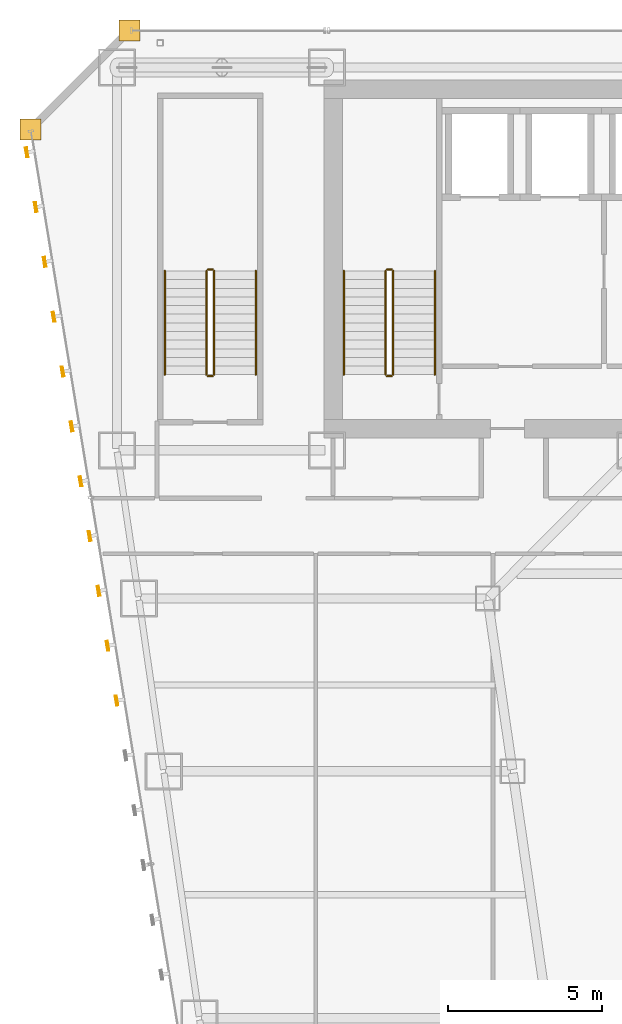
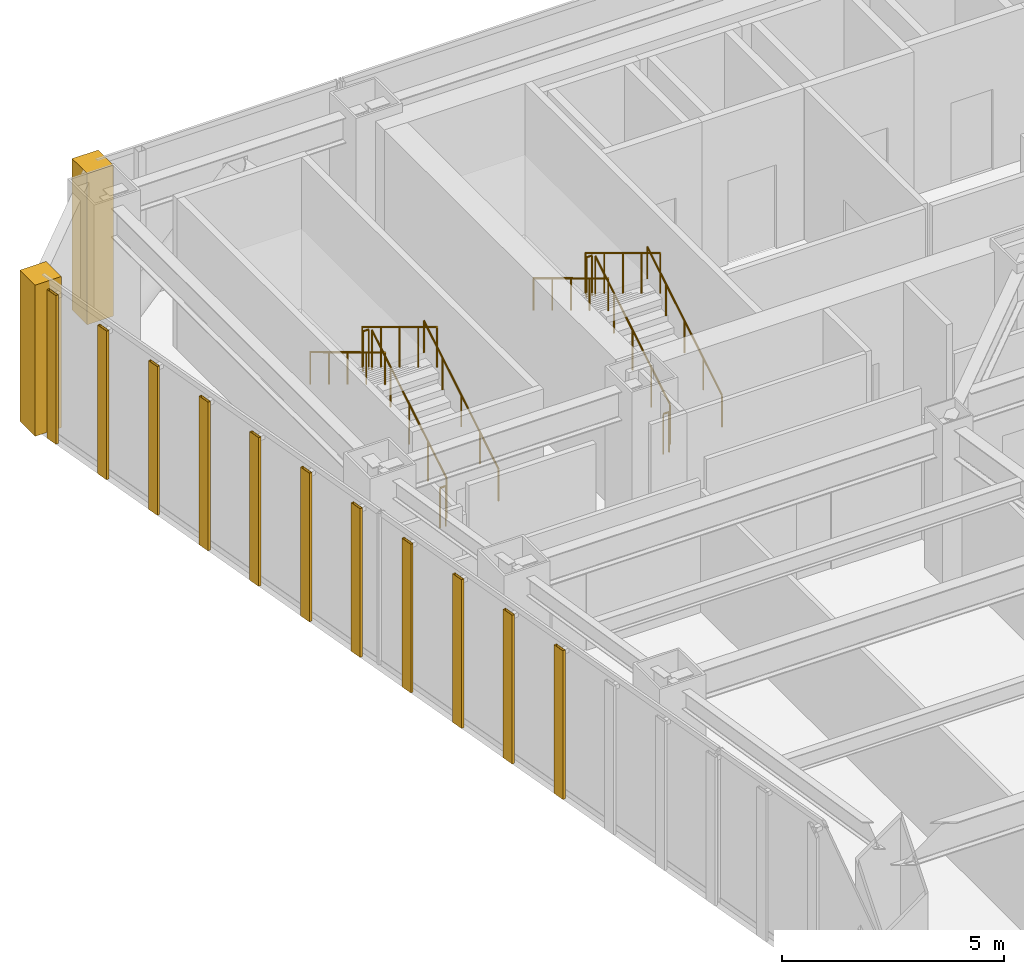
# One storey, part 46 of 47: 12 railings, 11 shading devices, 2 coverings.
"""IFC4 building model written with IfcOpenShell, lengths in metres."""

from ifc_helpers import new_model, si_unit, direction, frame, origin, origin_2d, place, context, subcontext, project, spatial, polyline, hollow_rectangle, circle, outline, extrude, material, layer, layer_set, material_profile, profile_set, type_object, element, save


model = new_model("IFC4")

# Units and contexts
model_context = context("Model", 3, precision=1e-05, world=origin(), true_north=direction((0.0, 1.0)))
body_context = subcontext(model_context, "Body", "Model", "MODEL_VIEW")
ifc_project = project(units=[si_unit("LENGTHUNIT", "METRE"), si_unit("AREAUNIT", "SQUARE_METRE"), si_unit("VOLUMEUNIT", "CUBIC_METRE"), si_unit("PLANEANGLEUNIT", "RADIAN"), si_unit("MASSUNIT", "GRAM", prefix="KILO")], contexts=[model_context])

# Site, building, storey
site_placement = place(None, origin())
site = spatial("IfcSite", under=ifc_project, at=site_placement, CompositionType="ELEMENT")
building_placement = place(site_placement, origin())
building = spatial("IfcBuilding", under=site, at=building_placement, Name="Saevonmaru Cultural Tower", CompositionType="ELEMENT")
storey_placement = place(building_placement, frame((0.0, 0.0, 69.199951171875)))
storey = spatial("IfcBuildingStorey", under=building, at=storey_placement, Name="L14", CompositionType="ELEMENT", Elevation=69.199951171875)

# Coverings
ifc_material_1 = material(Name="Satin Bronze Anodised Aluminium", Category="aluminium")
ifc_layer = layer(ifc_material_1, 0.679931640625, Name="Satin Bronze Anodised Aluminium")
ifc_layer_set = layer_set([ifc_layer], Name="Satin Bronze Anodised Aluminium")
covering_type = type_object("IfcCoveringType", Name="CV-CORNER-CLAD", PredefinedType="CLADDING", material=ifc_layer_set)
covering_1_placement = place(storey_placement, origin())
element("IfcCovering", 1, at=covering_1_placement, inside=storey, type_object=covering_type, Name="L14 Tower Bronze Corner Cladding Pier 11", PredefinedType="CLADDING", context=body_context, shape_type="SweptSolid", body=[
    extrude(outline(polyline([(6.860107421875, 55.659912109375), (7.5400390625, 55.659912109375), (7.5400390625, 56.340087890625), (6.860107421875, 56.340087890625), (6.860107421875, 55.659912109375)])), origin(), (0.0, 0.0, 1.0), 4.150146484375),
])
covering_2_placement = place(storey_placement, origin())
element("IfcCovering", 2, at=covering_2_placement, inside=storey, type_object=covering_type, Name="L14 Tower Bronze Corner Cladding Pier 12", PredefinedType="CLADDING", context=body_context, shape_type="SweptSolid", body=[
    extrude(outline(polyline([(3.659912109375, 52.4599609375), (4.340087890625, 52.4599609375), (4.340087890625, 53.139892578125), (3.659912109375, 53.139892578125), (3.659912109375, 52.4599609375)])), origin(), (0.0, 0.0, 1.0), 4.150146484375),
])

# Railings
ifc_material_2 = material(Name="Architectural Painted Steel", Category="steel")
railing_type_1 = type_object("IfcRailingType", Name="RL-STAIR-GUARD", PredefinedType="GUARDRAIL", material=ifc_material_2)
railing_1_placement = place(storey_placement, frame((15.75, 44.85009765625, 0.169189453125)))
element("IfcRailing", 3, at=railing_1_placement, inside=storey, type_object=railing_type_1, Name="L14 ST-1 stair guard 1", PredefinedType="GUARDRAIL", context=body_context, shape_type="SweptSolid", body=[
    extrude(circle(Radius=0.02392578125, at=origin_2d()), frame((0.0, 0.0, 1.09619140625), z_axis=(0.0, 0.855820338506, 0.51727318527), x_axis=(-1.0, 0.0, 0.0)), (0.0, 0.0, 1.0), 3.92578125),
    extrude(circle(Radius=0.02099609375, at=origin_2d()), origin(), (0.0, 0.0, 1.0), 1.072021484375),
    extrude(circle(Radius=0.02099609375, at=origin_2d()), frame((0.0, 0.83984375, 0.5078125)), (0.0, 0.0, 1.0), 1.072021484375),
    extrude(circle(Radius=0.02099609375, at=origin_2d()), frame((0.0, 1.679931640625, 1.015380859375)), (0.0, 0.0, 1.0), 1.072021484375),
    extrude(circle(Radius=0.02099609375, at=origin_2d()), frame((0.0, 2.52001953125, 1.52294921875)), (0.0, 0.0, 1.0), 1.072021484375),
    extrude(circle(Radius=0.02099609375, at=origin_2d()), frame((0.0, 3.35986328125, 2.03076171875)), (0.0, 0.0, 1.0), 1.072021484375),
])
railing_2_placement = place(storey_placement, frame((15.699951171875, 48.260009765625, 2.199951171875)))
element("IfcRailing", 4, at=railing_2_placement, inside=storey, type_object=railing_type_1, Name="L14 ST-1 stair guard 2", PredefinedType="GUARDRAIL", context=body_context, shape_type="SweptSolid", body=[
    extrude(circle(Radius=0.02392578125, at=origin_2d()), frame((0.0, 0.0, 1.09619140625), z_axis=(-1.0, 0.0, 0.0), x_axis=(0.0, -1.0, 0.0)), (0.0, 0.0, 1.0), 0.14990234375),
    extrude(circle(Radius=0.02099609375, at=origin_2d()), origin(), (0.0, 0.0, 1.0), 1.072021484375),
    extrude(circle(Radius=0.02099609375, at=origin_2d()), frame((-0.14990234375, 0.0, 0.0)), (0.0, 0.0, 1.0), 1.072021484375),
])
railing_3_placement = place(storey_placement, frame((15.5, 48.2099609375, 2.369384765625)))
element("IfcRailing", 5, at=railing_3_placement, inside=storey, type_object=railing_type_1, Name="L14 ST-1 stair guard 3", PredefinedType="GUARDRAIL", context=body_context, shape_type="SweptSolid", body=[
    extrude(circle(Radius=0.02392578125, at=origin_2d()), frame((0.0, 0.0, 1.09619140625), z_axis=(0.0, -0.855820338506, 0.51727318527), x_axis=(1.0, 0.0, 0.0)), (0.0, 0.0, 1.0), 3.92578125),
    extrude(circle(Radius=0.02099609375, at=origin_2d()), origin(), (0.0, 0.0, 1.0), 1.072021484375),
    extrude(circle(Radius=0.02099609375, at=origin_2d()), frame((0.0, -0.83984375, 0.5078125)), (0.0, 0.0, 1.0), 1.072021484375),
    extrude(circle(Radius=0.02099609375, at=origin_2d()), frame((0.0, -1.679931640625, 1.015380859375)), (0.0, 0.0, 1.0), 1.072021484375),
    extrude(circle(Radius=0.02099609375, at=origin_2d()), frame((0.0, -2.52001953125, 1.52294921875)), (0.0, 0.0, 1.0), 1.072021484375),
    extrude(circle(Radius=0.02099609375, at=origin_2d()), frame((0.0, -3.35986328125, 2.03076171875)), (0.0, 0.0, 1.0), 1.072021484375),
])
railing_4_placement = place(storey_placement, frame((15.699951171875, 44.800048828125, 0.0)))
element("IfcRailing", 6, at=railing_4_placement, inside=storey, type_object=railing_type_1, Name="L14 ST-1 stair guard 4", PredefinedType="GUARDRAIL", context=body_context, shape_type="SweptSolid", body=[
    extrude(circle(Radius=0.02392578125, at=origin_2d()), frame((0.0, 0.0, 1.09619140625), z_axis=(-1.0, 0.0, 0.0), x_axis=(0.0, -1.0, 0.0)), (0.0, 0.0, 1.0), 0.14990234375),
    extrude(circle(Radius=0.02099609375, at=origin_2d()), origin(), (0.0, 0.0, 1.0), 1.072021484375),
    extrude(circle(Radius=0.02099609375, at=origin_2d()), frame((-0.14990234375, 0.0, 0.0)), (0.0, 0.0, 1.0), 1.072021484375),
])
railing_5_placement = place(storey_placement, frame((9.949951171875, 44.85009765625, 0.169189453125)))
element("IfcRailing", 7, at=railing_5_placement, inside=storey, type_object=railing_type_1, Name="L14 ST-3 stair guard 1", PredefinedType="GUARDRAIL", context=body_context, shape_type="SweptSolid", body=[
    extrude(circle(Radius=0.02392578125, at=origin_2d()), frame((0.0, 0.0, 1.09619140625), z_axis=(0.0, 0.855820338506, 0.51727318527), x_axis=(-1.0, 0.0, 0.0)), (0.0, 0.0, 1.0), 3.92578125),
    extrude(circle(Radius=0.02099609375, at=origin_2d()), origin(), (0.0, 0.0, 1.0), 1.072021484375),
    extrude(circle(Radius=0.02099609375, at=origin_2d()), frame((0.0, 0.83984375, 0.5078125)), (0.0, 0.0, 1.0), 1.072021484375),
    extrude(circle(Radius=0.02099609375, at=origin_2d()), frame((0.0, 1.679931640625, 1.015380859375)), (0.0, 0.0, 1.0), 1.072021484375),
    extrude(circle(Radius=0.02099609375, at=origin_2d()), frame((0.0, 2.52001953125, 1.52294921875)), (0.0, 0.0, 1.0), 1.072021484375),
    extrude(circle(Radius=0.02099609375, at=origin_2d()), frame((0.0, 3.35986328125, 2.03076171875)), (0.0, 0.0, 1.0), 1.072021484375),
])
railing_6_placement = place(storey_placement, frame((9.89990234375, 48.260009765625, 2.199951171875)))
element("IfcRailing", 8, at=railing_6_placement, inside=storey, type_object=railing_type_1, Name="L14 ST-3 stair guard 2", PredefinedType="GUARDRAIL", context=body_context, shape_type="SweptSolid", body=[
    extrude(circle(Radius=0.02392578125, at=origin_2d()), frame((0.0, 0.0, 1.09619140625), z_axis=(-1.0, 0.0, 0.0), x_axis=(0.0, -1.0, 0.0)), (0.0, 0.0, 1.0), 0.14990234375),
    extrude(circle(Radius=0.02099609375, at=origin_2d()), origin(), (0.0, 0.0, 1.0), 1.072021484375),
    extrude(circle(Radius=0.02099609375, at=origin_2d()), frame((-0.14990234375, 0.0, 0.0)), (0.0, 0.0, 1.0), 1.072021484375),
])
railing_7_placement = place(storey_placement, frame((9.699951171875, 48.2099609375, 2.369384765625)))
element("IfcRailing", 9, at=railing_7_placement, inside=storey, type_object=railing_type_1, Name="L14 ST-3 stair guard 3", PredefinedType="GUARDRAIL", context=body_context, shape_type="SweptSolid", body=[
    extrude(circle(Radius=0.02392578125, at=origin_2d()), frame((0.0, 0.0, 1.09619140625), z_axis=(0.0, -0.855820338506, 0.51727318527), x_axis=(1.0, 0.0, 0.0)), (0.0, 0.0, 1.0), 3.92578125),
    extrude(circle(Radius=0.02099609375, at=origin_2d()), origin(), (0.0, 0.0, 1.0), 1.072021484375),
    extrude(circle(Radius=0.02099609375, at=origin_2d()), frame((0.0, -0.83984375, 0.5078125)), (0.0, 0.0, 1.0), 1.072021484375),
    extrude(circle(Radius=0.02099609375, at=origin_2d()), frame((0.0, -1.679931640625, 1.015380859375)), (0.0, 0.0, 1.0), 1.072021484375),
    extrude(circle(Radius=0.02099609375, at=origin_2d()), frame((0.0, -2.52001953125, 1.52294921875)), (0.0, 0.0, 1.0), 1.072021484375),
    extrude(circle(Radius=0.02099609375, at=origin_2d()), frame((0.0, -3.35986328125, 2.03076171875)), (0.0, 0.0, 1.0), 1.072021484375),
])
railing_8_placement = place(storey_placement, frame((9.89990234375, 44.800048828125, 0.0)))
element("IfcRailing", 10, at=railing_8_placement, inside=storey, type_object=railing_type_1, Name="L14 ST-3 stair guard 4", PredefinedType="GUARDRAIL", context=body_context, shape_type="SweptSolid", body=[
    extrude(circle(Radius=0.02392578125, at=origin_2d()), frame((0.0, 0.0, 1.09619140625), z_axis=(-1.0, 0.0, 0.0), x_axis=(0.0, -1.0, 0.0)), (0.0, 0.0, 1.0), 0.14990234375),
    extrude(circle(Radius=0.02099609375, at=origin_2d()), origin(), (0.0, 0.0, 1.0), 1.072021484375),
    extrude(circle(Radius=0.02099609375, at=origin_2d()), frame((-0.14990234375, 0.0, 0.0)), (0.0, 0.0, 1.0), 1.072021484375),
])
railing_type_2 = type_object("IfcRailingType", Name="RL-STAIR-HANDRAIL", PredefinedType="HANDRAIL", material=ifc_material_1)
railing_9_placement = place(storey_placement, frame((17.10009765625, 44.85009765625, 0.169189453125)))
element("IfcRailing", 11, at=railing_9_placement, inside=storey, type_object=railing_type_2, Name="L14 ST-1 stair handrail 1", PredefinedType="HANDRAIL", context=body_context, shape_type="SweptSolid", body=[
    extrude(circle(Radius=0.02392578125, at=origin_2d()), frame((0.0, 0.0, 0.8759765625), z_axis=(0.0, 0.855820338506, 0.51727318527), x_axis=(-1.0, 0.0, 0.0)), (0.0, 0.0, 1.0), 3.92578125),
    extrude(circle(Radius=0.02099609375, at=origin_2d()), origin(), (0.0, 0.0, 1.0), 0.851806640625),
    extrude(circle(Radius=0.02099609375, at=origin_2d()), frame((0.0, 0.83984375, 0.5078125)), (0.0, 0.0, 1.0), 0.851806640625),
    extrude(circle(Radius=0.02099609375, at=origin_2d()), frame((0.0, 1.679931640625, 1.015380859375)), (0.0, 0.0, 1.0), 0.851806640625),
    extrude(circle(Radius=0.02099609375, at=origin_2d()), frame((0.0, 2.52001953125, 1.52294921875)), (0.0, 0.0, 1.0), 0.851806640625),
    extrude(circle(Radius=0.02099609375, at=origin_2d()), frame((0.0, 3.35986328125, 2.03076171875)), (0.0, 0.0, 1.0), 0.851806640625),
])
railing_10_placement = place(storey_placement, frame((14.14990234375, 48.2099609375, 2.369384765625)))
element("IfcRailing", 12, at=railing_10_placement, inside=storey, type_object=railing_type_2, Name="L14 ST-1 stair handrail 2", PredefinedType="HANDRAIL", context=body_context, shape_type="SweptSolid", body=[
    extrude(circle(Radius=0.02392578125, at=origin_2d()), frame((0.0, 0.0, 0.8759765625), z_axis=(0.0, -0.855820338506, 0.51727318527), x_axis=(1.0, 0.0, 0.0)), (0.0, 0.0, 1.0), 3.92578125),
    extrude(circle(Radius=0.02099609375, at=origin_2d()), origin(), (0.0, 0.0, 1.0), 0.851806640625),
    extrude(circle(Radius=0.02099609375, at=origin_2d()), frame((0.0, -0.83984375, 0.5078125)), (0.0, 0.0, 1.0), 0.851806640625),
    extrude(circle(Radius=0.02099609375, at=origin_2d()), frame((0.0, -1.679931640625, 1.015380859375)), (0.0, 0.0, 1.0), 0.851806640625),
    extrude(circle(Radius=0.02099609375, at=origin_2d()), frame((0.0, -2.52001953125, 1.52294921875)), (0.0, 0.0, 1.0), 0.851806640625),
    extrude(circle(Radius=0.02099609375, at=origin_2d()), frame((0.0, -3.35986328125, 2.03076171875)), (0.0, 0.0, 1.0), 0.851806640625),
])
railing_11_placement = place(storey_placement, frame((11.300048828125, 44.85009765625, 0.169189453125)))
element("IfcRailing", 13, at=railing_11_placement, inside=storey, type_object=railing_type_2, Name="L14 ST-3 stair handrail 1", PredefinedType="HANDRAIL", context=body_context, shape_type="SweptSolid", body=[
    extrude(circle(Radius=0.02392578125, at=origin_2d()), frame((0.0, 0.0, 0.8759765625), z_axis=(0.0, 0.855820338506, 0.51727318527), x_axis=(-1.0, 0.0, 0.0)), (0.0, 0.0, 1.0), 3.92578125),
    extrude(circle(Radius=0.02099609375, at=origin_2d()), origin(), (0.0, 0.0, 1.0), 0.851806640625),
    extrude(circle(Radius=0.02099609375, at=origin_2d()), frame((0.0, 0.83984375, 0.5078125)), (0.0, 0.0, 1.0), 0.851806640625),
    extrude(circle(Radius=0.02099609375, at=origin_2d()), frame((0.0, 1.679931640625, 1.015380859375)), (0.0, 0.0, 1.0), 0.851806640625),
    extrude(circle(Radius=0.02099609375, at=origin_2d()), frame((0.0, 2.52001953125, 1.52294921875)), (0.0, 0.0, 1.0), 0.851806640625),
    extrude(circle(Radius=0.02099609375, at=origin_2d()), frame((0.0, 3.35986328125, 2.03076171875)), (0.0, 0.0, 1.0), 0.851806640625),
])
railing_12_placement = place(storey_placement, frame((8.35009765625, 48.2099609375, 2.369384765625)))
element("IfcRailing", 14, at=railing_12_placement, inside=storey, type_object=railing_type_2, Name="L14 ST-3 stair handrail 2", PredefinedType="HANDRAIL", context=body_context, shape_type="SweptSolid", body=[
    extrude(circle(Radius=0.02392578125, at=origin_2d()), frame((0.0, 0.0, 0.8759765625), z_axis=(0.0, -0.855820338506, 0.51727318527), x_axis=(1.0, 0.0, 0.0)), (0.0, 0.0, 1.0), 3.92578125),
    extrude(circle(Radius=0.02099609375, at=origin_2d()), origin(), (0.0, 0.0, 1.0), 0.851806640625),
    extrude(circle(Radius=0.02099609375, at=origin_2d()), frame((0.0, -0.83984375, 0.5078125)), (0.0, 0.0, 1.0), 0.851806640625),
    extrude(circle(Radius=0.02099609375, at=origin_2d()), frame((0.0, -1.679931640625, 1.015380859375)), (0.0, 0.0, 1.0), 0.851806640625),
    extrude(circle(Radius=0.02099609375, at=origin_2d()), frame((0.0, -2.52001953125, 1.52294921875)), (0.0, 0.0, 1.0), 0.851806640625),
    extrude(circle(Radius=0.02099609375, at=origin_2d()), frame((0.0, -3.35986328125, 2.03076171875)), (0.0, 0.0, 1.0), 0.851806640625),
])

# Shading devices
ifc_material_profile = material_profile(ifc_material_1, hollow_rectangle(XDim=0.070068359375, YDim=0.320068359375, WallThickness=0.0048828125, at=origin_2d()), Name="FIN-320x70")
ifc_profile_set = profile_set([ifc_material_profile], Name="Satin Bronze Anodised Aluminium")
shading_device_type = type_object("IfcShadingDeviceType", Name="SHD-FIN-320", PredefinedType="JALOUSIE", material=ifc_profile_set)
for number, where, z_axis, x_axis, name in (
    (15, (3.879150390625, 52.05322265625, 0.050048828125), (0.0, 0.0, 1.0), (-0.986827496189, -0.161776057456, 0.0), "L14 Art Deco Sawtooth Bronze Fin E12-01"),
    (16, (4.170166015625, 50.27685546875, 0.050048828125), (0.0, 0.0, 1.0), (-0.986827496189, -0.161776057456, 0.0), "L14 Art Deco Sawtooth Bronze Fin E12-02"),
    (17, (4.461181640625, 48.50048828125, 0.050048828125), (0.0, 0.0, 1.0), (-0.986827496189, -0.161776057456, 0.0), "L14 Art Deco Sawtooth Bronze Fin E12-03"),
    (18, (4.75244140625, 46.724365234375, 0.050048828125), (0.0, 0.0, 1.0), (-0.986827496189, -0.161776057456, 0.0), "L14 Art Deco Sawtooth Bronze Fin E12-04"),
    (19, (5.04345703125, 44.947998046875, 0.050048828125), (0.0, 0.0, 1.0), (-0.986827496189, -0.161776057456, 0.0), "L14 Art Deco Sawtooth Bronze Fin E12-05"),
    (20, (5.334716796875, 43.171630859375, 0.050048828125), (0.0, 0.0, 1.0), (-0.986827496189, -0.161776057456, 0.0), "L14 Art Deco Sawtooth Bronze Fin E12-06"),
    (21, (5.62548828125, 41.3955078125, 0.050048828125), (0.0, 0.0, 1.0), (-0.986827496189, -0.161776057456, 0.0), "L14 Art Deco Sawtooth Bronze Fin E12-07"),
    (22, (5.916748046875, 39.618896484375, 0.050048828125), (0.0, 0.0, 1.0), (-0.986827496189, -0.161776057456, 0.0), "L14 Art Deco Sawtooth Bronze Fin E12-08"),
    (23, (6.207763671875, 37.8427734375, 0.050048828125), (0.0, 0.0, 1.0), (-0.986827496189, -0.161776057456, 0.0), "L14 Art Deco Sawtooth Bronze Fin E12-09"),
    (24, (6.498779296875, 36.06640625, 0.050048828125), (0.0, 0.0, 1.0), (-0.986827496189, -0.161776057456, 0.0), "L14 Art Deco Sawtooth Bronze Fin E12-10"),
    (25, (6.789794921875, 34.2900390625, 0.050048828125), (0.0, 0.0, 1.0), (-0.986827496189, -0.161776057456, 0.0), "L14 Art Deco Sawtooth Bronze Fin E12-11"),
):
    element("IfcShadingDevice", number, at=place(storey_placement, frame(where, z_axis=z_axis, x_axis=x_axis)), inside=storey, type_object=shading_device_type, Name=name, PredefinedType="JALOUSIE", context=body_context, shape_type="SweptSolid", body=[
        extrude(hollow_rectangle(XDim=0.070068359375, YDim=0.320068359375, WallThickness=0.0048828125, at=origin_2d()), origin(), (0.0, 0.0, 1.0), 4.080078125),
    ])

save(model, "model.ifc")
